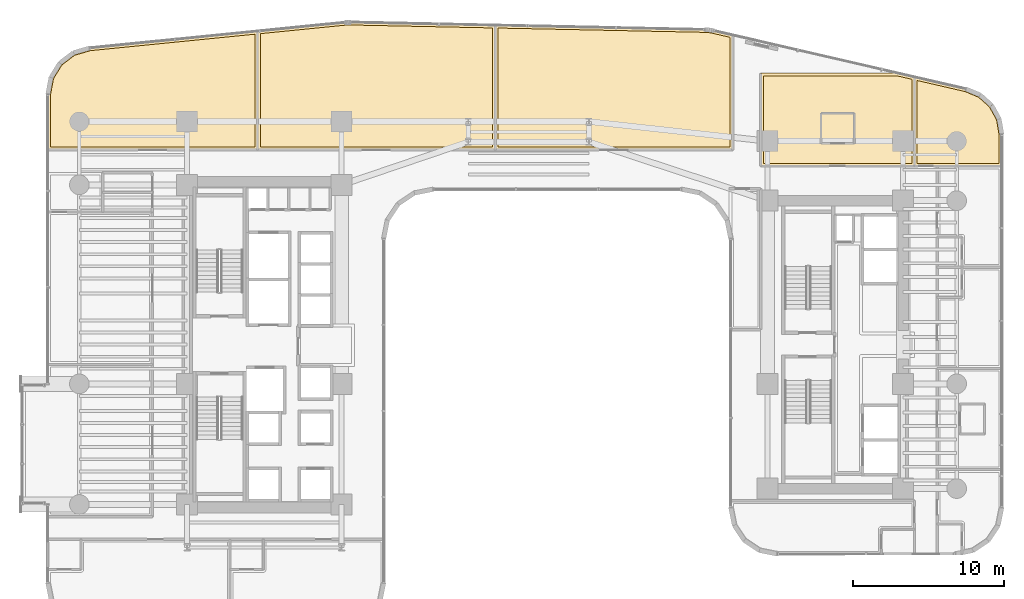
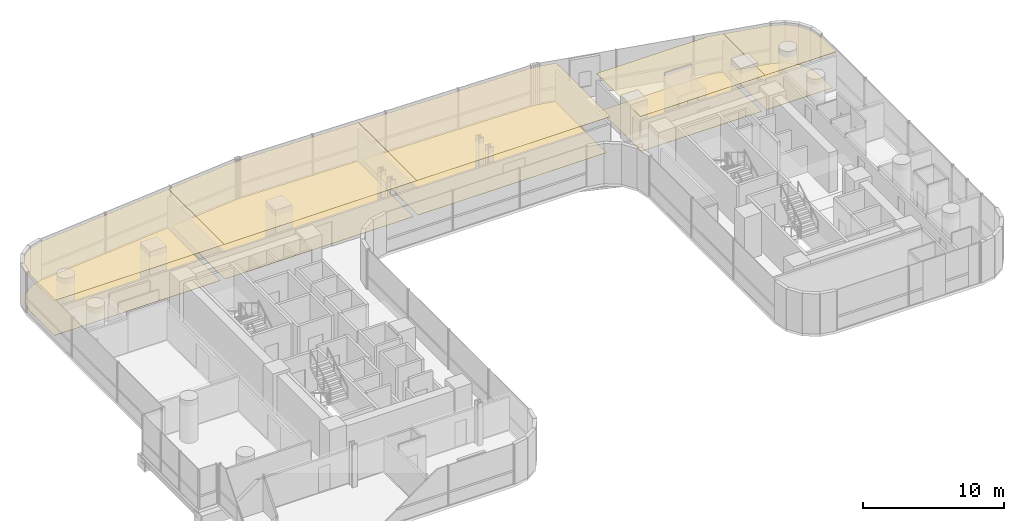
# One storey, part 41 of 41: 10 coverings.
"""IFC4 building model written with IfcOpenShell, lengths in metres."""

from ifc_helpers import new_model, si_unit, direction, frame, origin, place, context, subcontext, project, spatial, polyline, outline, extrude, material, layer, layer_set, type_object, element, save


model = new_model("IFC4")

# Units and contexts
model_context = context("Model", 3, precision=1e-05, world=origin(), true_north=direction((0.0, 1.0)))
body_context = subcontext(model_context, "Body", "Model", "MODEL_VIEW")
ifc_project = project(units=[si_unit("LENGTHUNIT", "METRE"), si_unit("AREAUNIT", "SQUARE_METRE"), si_unit("VOLUMEUNIT", "CUBIC_METRE"), si_unit("PLANEANGLEUNIT", "RADIAN"), si_unit("MASSUNIT", "GRAM", prefix="KILO")], contexts=[model_context])

# Site, building, storey
site_placement = place(None, origin())
site = spatial("IfcSite", under=ifc_project, at=site_placement, CompositionType="ELEMENT")
building_placement = place(site_placement, origin())
building = spatial("IfcBuilding", under=site, at=building_placement, Name="Valdorenza Pilgrim Sanctuary Tower", CompositionType="ELEMENT")
storey_placement = place(building_placement, frame((0.0, 0.0, 63.0)))
storey = spatial("IfcBuildingStorey", under=building, at=storey_placement, Name="L15", CompositionType="ELEMENT", Elevation=63.0)

# Coverings
ifc_material_1 = material(Name="Micro-perforated acoustic mineral ceiling tile", Category="gypsum")
ifc_layer_1 = layer(ifc_material_1, 0.02490234375, Name="Micro-perforated acoustic mineral ceiling tile")
ifc_layer_set_1 = layer_set([ifc_layer_1], Name="Micro-perforated acoustic mineral ceiling tile")
covering_type_1 = type_object("IfcCoveringType", Name="COV-CLG-ACU", PredefinedType="CEILING", material=ifc_layer_set_1)
covering_1_placement = place(storey_placement, frame((0.0, 0.0, 3.159912109375)))
element("IfcCovering", 1, at=covering_1_placement, inside=storey, type_object=covering_type_1, Name="L15 Sacred Art Exhibition Gallery L15-NG1 Acoustic Ceiling", PredefinedType="CEILING", context=body_context, shape_type="SweptSolid", body=[
    extrude(outline(polyline([(-31.889892578125, 12.905029296875), (-31.8916015625, 12.905029296875), (-31.892822265625, 12.9052734375), (-31.894287109375, 12.905517578125), (-31.895751953125, 12.906005859375), (-31.897216796875, 12.90673828125), (-31.898193359375, 12.907470703125), (-31.8994140625, 12.908447265625), (-31.900634765625, 12.909423828125), (-31.901611328125, 12.910400390625), (-31.902587890625, 12.91162109375), (-31.9033203125, 12.912841796875), (-31.90380859375, 12.914306640625), (-31.904296875, 12.91552734375), (-31.90478515625, 12.9169921875), (-31.90478515625, 12.91845703125), (-31.905029296875, 12.919921875), (-31.905029296875, 16.593994140625), (-31.90478515625, 16.59521484375), (-31.90478515625, 16.5966796875), (-31.6962890625, 17.717041015625), (-31.696044921875, 17.718505859375), (-31.695556640625, 17.7197265625), (-31.695068359375, 17.720947265625), (-31.6943359375, 17.72216796875), (-31.102294921875, 18.68408203125), (-31.1015625, 18.685302734375), (-31.100830078125, 18.686279296875), (-31.099853515625, 18.687255859375), (-31.0986328125, 18.688232421875), (-30.20068359375, 19.372802734375), (-30.199462890625, 19.37353515625), (-30.1982421875, 19.374267578125), (-30.197021484375, 19.374755859375), (-30.19580078125, 19.375244140625), (-29.1015625, 19.694091796875), (-29.10009765625, 19.694580078125), (-29.098876953125, 19.694580078125), (-17.978271484375, 20.806640625), (-17.976806640625, 20.806884765625), (-17.97509765625, 20.806640625), (-17.973876953125, 20.806396484375), (-17.972412109375, 20.80615234375), (-17.970947265625, 20.8056640625), (-17.969482421875, 20.804931640625), (-17.968505859375, 20.80419921875), (-17.96728515625, 20.803466796875), (-17.966064453125, 20.802490234375), (-17.965087890625, 20.80126953125), (-17.964111328125, 20.800048828125), (-17.96337890625, 20.798828125), (-17.962890625, 20.797607421875), (-17.96240234375, 20.796142578125), (-17.9619140625, 20.794677734375), (-17.9619140625, 20.793212890625), (-17.961669921875, 20.791748046875), (-17.961669921875, 12.919921875), (-17.9619140625, 12.91845703125), (-17.9619140625, 12.9169921875), (-17.96240234375, 12.91552734375), (-17.962890625, 12.914306640625), (-17.96337890625, 12.912841796875), (-17.964111328125, 12.91162109375), (-17.965087890625, 12.910400390625), (-17.966064453125, 12.909423828125), (-17.96728515625, 12.908447265625), (-17.968505859375, 12.907470703125), (-17.969482421875, 12.90673828125), (-17.970947265625, 12.906005859375), (-17.972412109375, 12.905517578125), (-17.973876953125, 12.9052734375), (-17.97509765625, 12.905029296875), (-17.976806640625, 12.905029296875), (-31.889892578125, 12.905029296875)])), origin(), (0.0, 0.0, 1.0), 0.025146484375),
])
covering_2_placement = place(storey_placement, frame((0.0, 0.0, 3.159912109375)))
element("IfcCovering", 2, at=covering_2_placement, inside=storey, type_object=covering_type_1, Name="L15 Sacred Art Exhibition Gallery L15-NG2 Acoustic Ceiling", PredefinedType="CEILING", context=body_context, shape_type="SweptSolid", body=[
    extrude(outline(polyline([(-17.98974609375, 20.791748046875), (-17.98974609375, 20.792724609375), (-17.989501953125, 20.794189453125), (-17.9892578125, 20.7958984375), (-17.98876953125, 20.79736328125), (-17.98828125, 20.798583984375), (-17.9873046875, 20.800048828125), (-17.986572265625, 20.80126953125), (-17.985595703125, 20.802490234375), (-17.984375, 20.803466796875), (-17.983154296875, 20.80419921875), (-17.98193359375, 20.80517578125), (-17.980712890625, 20.805908203125), (-17.979248046875, 20.806396484375), (-17.977783203125, 20.806640625), (-17.976318359375, 20.806884765625), (-12.18359375, 21.38623046875), (-12.183349609375, 21.38623046875), (-12.089599609375, 21.39404296875), (-12.089111328125, 21.39404296875), (-11.996337890625, 21.399169921875), (-11.995849609375, 21.3994140625), (-11.902587890625, 21.401611328125), (-11.90234375, 21.401611328125), (-11.808349609375, 21.40087890625), (-11.80810546875, 21.40087890625), (-2.212890625, 21.201171875), (-2.21142578125, 21.200927734375), (-2.210205078125, 21.20068359375), (-2.208740234375, 21.200439453125), (-2.207275390625, 21.199951171875), (-2.2060546875, 21.19921875), (-2.204833984375, 21.198486328125), (-2.20361328125, 21.197509765625), (-2.20263671875, 21.196533203125), (-2.20166015625, 21.195556640625), (-2.20068359375, 21.1943359375), (-2.199951171875, 21.193115234375), (-2.199462890625, 21.19189453125), (-2.198974609375, 21.1904296875), (-2.198486328125, 21.18896484375), (-2.198486328125, 21.1875), (-2.1982421875, 21.18603515625), (-2.1982421875, 12.919921875), (-2.198486328125, 12.91845703125), (-2.198486328125, 12.9169921875), (-2.198974609375, 12.91552734375), (-2.199462890625, 12.914306640625), (-2.2001953125, 12.912841796875), (-2.20068359375, 12.91162109375), (-2.20166015625, 12.910400390625), (-2.20263671875, 12.909423828125), (-2.203857421875, 12.908447265625), (-2.205078125, 12.907470703125), (-2.206298828125, 12.90673828125), (-2.20751953125, 12.906005859375), (-2.208984375, 12.905517578125), (-2.21044921875, 12.9052734375), (-2.2119140625, 12.905029296875), (-2.21337890625, 12.905029296875), (-17.974609375, 12.905029296875), (-17.976318359375, 12.905029296875), (-17.9775390625, 12.9052734375), (-17.97900390625, 12.905517578125), (-17.98046875, 12.906005859375), (-17.981689453125, 12.90673828125), (-17.98291015625, 12.907470703125), (-17.984130859375, 12.908447265625), (-17.9853515625, 12.909423828125), (-17.986328125, 12.910400390625), (-17.9873046875, 12.91162109375), (-17.98779296875, 12.912841796875), (-17.988525390625, 12.914306640625), (-17.989013671875, 12.91552734375), (-17.989501953125, 12.9169921875), (-17.989501953125, 12.91845703125), (-17.98974609375, 12.919921875), (-17.98974609375, 20.791748046875), (-17.98974609375, 20.791748046875)])), origin(), (0.0, 0.0, 1.0), 0.025146484375),
])
covering_3_placement = place(storey_placement, frame((0.0, 0.0, 3.159912109375)))
element("IfcCovering", 3, at=covering_3_placement, inside=storey, type_object=covering_type_1, Name="L15 Sacred Art Exhibition Gallery L15-NG3 Acoustic Ceiling", PredefinedType="CEILING", context=body_context, shape_type="SweptSolid", body=[
    extrude(outline(polyline([(-2.211181640625, 12.905029296875), (-2.212890625, 12.905029296875), (-2.214111328125, 12.9052734375), (-2.2158203125, 12.905517578125), (-2.217041015625, 12.906005859375), (-2.218505859375, 12.90673828125), (-2.219482421875, 12.907470703125), (-2.220703125, 12.908447265625), (-2.221923828125, 12.909423828125), (-2.222900390625, 12.910400390625), (-2.223876953125, 12.91162109375), (-2.224609375, 12.912841796875), (-2.22509765625, 12.914306640625), (-2.2255859375, 12.91552734375), (-2.22607421875, 12.9169921875), (-2.226318359375, 12.91845703125), (-2.226318359375, 12.919921875), (-2.226318359375, 21.18603515625), (-2.226318359375, 21.1875), (-2.22607421875, 21.18896484375), (-2.2255859375, 21.1904296875), (-2.22509765625, 21.19189453125), (-2.224609375, 21.193115234375), (-2.2236328125, 21.194580078125), (-2.222900390625, 21.19580078125), (-2.2216796875, 21.19677734375), (-2.220703125, 21.19775390625), (-2.219482421875, 21.198486328125), (-2.21826171875, 21.199462890625), (-2.216796875, 21.199951171875), (-2.21533203125, 21.200439453125), (-2.214111328125, 21.20068359375), (-2.21240234375, 21.200927734375), (-2.2109375, 21.201171875), (11.666015625, 20.912109375), (11.66650390625, 20.911865234375), (11.82666015625, 20.904296875), (11.827392578125, 20.904296875), (11.98583984375, 20.888916015625), (11.986572265625, 20.888671875), (12.143798828125, 20.864990234375), (12.14453125, 20.864990234375), (12.302001953125, 20.832763671875), (12.30224609375, 20.832763671875), (13.553466796875, 20.5439453125), (13.5546875, 20.543701171875), (13.55615234375, 20.543212890625), (13.557373046875, 20.54248046875), (13.55859375, 20.541748046875), (13.559814453125, 20.540771484375), (13.560791015625, 20.539794921875), (13.561767578125, 20.538818359375), (13.5625, 20.53759765625), (13.563232421875, 20.536376953125), (13.56396484375, 20.534912109375), (13.564453125, 20.53369140625), (13.564697265625, 20.5322265625), (13.56494140625, 20.53076171875), (13.56494140625, 20.529296875), (13.56494140625, 12.919921875), (13.56494140625, 12.91845703125), (13.564697265625, 12.9169921875), (13.564453125, 12.91552734375), (13.56396484375, 12.914306640625), (13.563232421875, 12.912841796875), (13.5625, 12.91162109375), (13.5615234375, 12.910400390625), (13.560546875, 12.909423828125), (13.5595703125, 12.908447265625), (13.558349609375, 12.907470703125), (13.55712890625, 12.90673828125), (13.5556640625, 12.906005859375), (13.554443359375, 12.905517578125), (13.552978515625, 12.9052734375), (13.551513671875, 12.905029296875), (13.550048828125, 12.905029296875), (-2.211181640625, 12.905029296875)])), origin(), (0.0, 0.0, 1.0), 0.025146484375),
])
covering_4_placement = place(storey_placement, frame((0.0, 0.0, 3.159912109375)))
element("IfcCovering", 4, at=covering_4_placement, inside=storey, type_object=covering_type_1, Name="L15 East North Guest Room L15-EN1 Acoustic Ceiling", PredefinedType="CEILING", context=body_context, shape_type="SweptSolid", body=[
    extrude(outline(polyline([(24.5107421875, 18.014892578125), (24.512451171875, 18.014892578125), (24.51416015625, 18.0146484375), (25.603515625, 17.76318359375), (25.604736328125, 17.762939453125), (25.606201171875, 17.76220703125), (25.607421875, 17.76171875), (25.608642578125, 17.760986328125), (25.609619140625, 17.760009765625), (25.61083984375, 17.759033203125), (25.61181640625, 17.758056640625), (25.612548828125, 17.7568359375), (25.61328125, 17.755615234375), (25.614013671875, 17.75439453125), (25.614501953125, 17.7529296875), (25.61474609375, 17.75146484375), (25.614990234375, 17.75), (25.614990234375, 17.74853515625), (25.614990234375, 11.85009765625), (25.614990234375, 11.848388671875), (25.61474609375, 11.84716796875), (25.614501953125, 11.845703125), (25.614013671875, 11.84423828125), (25.61328125, 11.843017578125), (25.612548828125, 11.841796875), (25.611572265625, 11.840576171875), (25.610595703125, 11.83935546875), (25.609619140625, 11.83837890625), (25.6083984375, 11.83740234375), (25.607177734375, 11.8369140625), (25.605712890625, 11.836181640625), (25.6044921875, 11.835693359375), (25.602783203125, 11.835205078125), (25.6015625, 11.835205078125), (25.60009765625, 11.8349609375), (15.39990234375, 11.8349609375), (15.3984375, 11.835205078125), (15.397216796875, 11.835205078125), (15.3955078125, 11.835693359375), (15.394287109375, 11.836181640625), (15.392822265625, 11.8369140625), (15.3916015625, 11.83740234375), (15.390380859375, 11.83837890625), (15.389404296875, 11.83935546875), (15.388427734375, 11.840576171875), (15.387451171875, 11.841796875), (15.38671875, 11.843017578125), (15.385986328125, 11.84423828125), (15.385498046875, 11.845703125), (15.38525390625, 11.84716796875), (15.385009765625, 11.848388671875), (15.385009765625, 11.85009765625), (15.385009765625, 18.0), (15.385009765625, 18.00146484375), (15.38525390625, 18.0029296875), (15.385498046875, 18.00439453125), (15.385986328125, 18.005615234375), (15.38671875, 18.007080078125), (15.387451171875, 18.00830078125), (15.388427734375, 18.009521484375), (15.389404296875, 18.010498046875), (15.390380859375, 18.01171875), (15.3916015625, 18.012451171875), (15.392822265625, 18.01318359375), (15.394287109375, 18.013916015625), (15.3955078125, 18.014404296875), (15.397216796875, 18.0146484375), (15.3984375, 18.014892578125), (15.39990234375, 18.014892578125), (24.5107421875, 18.014892578125)])), origin(), (0.0, 0.0, 1.0), 0.025146484375),
])
covering_5_placement = place(storey_placement, frame((0.0, 0.0, 3.159912109375)))
element("IfcCovering", 5, at=covering_5_placement, inside=storey, type_object=covering_type_1, Name="L15 East Wing Reference Library L15-BNE Acoustic Ceiling", PredefinedType="CEILING", context=body_context, shape_type="SweptSolid", body=[
    extrude(outline(polyline([(28.9892578125, 16.98193359375), (28.990478515625, 16.981689453125), (28.99169921875, 16.981201171875), (29.95361328125, 16.580322265625), (29.955078125, 16.57958984375), (29.95654296875, 16.57861328125), (29.9580078125, 16.57763671875), (30.72705078125, 15.88818359375), (30.728271484375, 15.886962890625), (30.729248046875, 15.8857421875), (30.72998046875, 15.88427734375), (31.22900390625, 14.97998046875), (31.2294921875, 14.978271484375), (31.230224609375, 14.976806640625), (31.230712890625, 14.97509765625), (31.40478515625, 13.947509765625), (31.40478515625, 13.9462890625), (31.405029296875, 13.945068359375), (31.405029296875, 11.85009765625), (31.40478515625, 11.848388671875), (31.40478515625, 11.84716796875), (31.404296875, 11.845703125), (31.40380859375, 11.84423828125), (31.4033203125, 11.843017578125), (31.402587890625, 11.841796875), (31.401611328125, 11.840576171875), (31.400634765625, 11.83935546875), (31.3994140625, 11.83837890625), (31.398193359375, 11.83740234375), (31.397216796875, 11.8369140625), (31.395751953125, 11.836181640625), (31.394287109375, 11.835693359375), (31.392822265625, 11.835205078125), (31.3916015625, 11.835205078125), (31.389892578125, 11.8349609375), (25.60205078125, 11.8349609375), (25.6005859375, 11.835205078125), (25.59912109375, 11.835205078125), (25.59765625, 11.835693359375), (25.59619140625, 11.836181640625), (25.594970703125, 11.8369140625), (25.59375, 11.83740234375), (25.592529296875, 11.83837890625), (25.59130859375, 11.83935546875), (25.59033203125, 11.840576171875), (25.589599609375, 11.841796875), (25.5888671875, 11.843017578125), (25.588134765625, 11.84423828125), (25.587646484375, 11.845703125), (25.58740234375, 11.84716796875), (25.587158203125, 11.848388671875), (25.5869140625, 11.85009765625), (25.5869140625, 17.748291015625), (25.587158203125, 17.749755859375), (25.58740234375, 17.751220703125), (25.587646484375, 17.752685546875), (25.588134765625, 17.75390625), (25.5888671875, 17.75537109375), (25.589599609375, 17.756591796875), (25.590576171875, 17.7578125), (25.591552734375, 17.7587890625), (25.5927734375, 17.760009765625), (25.593994140625, 17.7607421875), (25.59521484375, 17.761474609375), (25.596435546875, 17.76220703125), (25.597900390625, 17.7626953125), (25.599365234375, 17.762939453125), (25.600830078125, 17.76318359375), (25.602294921875, 17.76318359375), (25.60400390625, 17.76318359375), (25.60546875, 17.7626953125), (28.9892578125, 16.98193359375)])), origin(), (0.0, 0.0, 1.0), 0.025146484375),
])
ifc_material_2 = material(Name="Engineered European oak timber flooring", Category="wood")
ifc_layer_2 = layer(ifc_material_2, 0.02197265625, Name="Engineered European oak timber flooring")
ifc_layer_set_2 = layer_set([ifc_layer_2], Name="Engineered European oak timber flooring")
covering_type_2 = type_object("IfcCoveringType", Name="COV-FLR-OAK", PredefinedType="FLOORING", material=ifc_layer_set_2)
covering_6_placement = place(storey_placement, origin())
element("IfcCovering", 6, at=covering_6_placement, inside=storey, type_object=covering_type_2, Name="L15 East North Guest Room L15-EN1 Flooring", PredefinedType="FLOORING", context=body_context, shape_type="SweptSolid", body=[
    extrude(outline(polyline([(24.490234375, 17.820068359375), (25.419921875, 17.60546875), (25.419921875, 12.030029296875), (15.580078125, 12.030029296875), (15.580078125, 17.820068359375), (24.490234375, 17.820068359375)])), origin(), (0.0, 0.0, 1.0), 0.02490234375),
])
ifc_material_3 = material(Name="Honed travertine stone flooring", Category="masonry")
ifc_layer_3 = layer(ifc_material_3, 0.030029296875, Name="Honed travertine stone flooring")
ifc_layer_set_3 = layer_set([ifc_layer_3], Name="Honed travertine stone flooring")
covering_type_3 = type_object("IfcCoveringType", Name="COV-FLR-TRV", PredefinedType="FLOORING", material=ifc_layer_set_3)
covering_7_placement = place(storey_placement, origin())
element("IfcCovering", 7, at=covering_7_placement, inside=storey, type_object=covering_type_3, Name="L15 Sacred Art Exhibition Gallery L15-NG1 Flooring", PredefinedType="FLOORING", context=body_context, shape_type="SweptSolid", body=[
    extrude(outline(polyline([(-31.7099609375, 13.10009765625), (-31.7099609375, 16.577392578125), (-31.5107421875, 17.6484375), (-30.953857421875, 18.553466796875), (-30.109130859375, 19.197509765625), (-29.06298828125, 19.502197265625), (-18.15673828125, 20.593017578125), (-18.15673828125, 13.10009765625), (-31.7099609375, 13.10009765625)])), origin(), (0.0, 0.0, 1.0), 0.02490234375),
])
covering_8_placement = place(storey_placement, origin())
element("IfcCovering", 8, at=covering_8_placement, inside=storey, type_object=covering_type_3, Name="L15 Sacred Art Exhibition Gallery L15-NG2 Flooring", PredefinedType="FLOORING", context=body_context, shape_type="SweptSolid", body=[
    extrude(outline(polyline([(-17.794677734375, 13.10009765625), (-17.794677734375, 20.62890625), (-12.16552734375, 21.19189453125), (-12.07568359375, 21.19970703125), (-11.98828125, 21.204345703125), (-11.900634765625, 21.20654296875), (-11.810791015625, 21.2060546875), (-2.393310546875, 21.009765625), (-2.393310546875, 13.10009765625), (-17.794677734375, 13.10009765625)])), origin(), (0.0, 0.0, 1.0), 0.02490234375),
])
covering_9_placement = place(storey_placement, origin())
element("IfcCovering", 9, at=covering_9_placement, inside=storey, type_object=covering_type_3, Name="L15 Sacred Art Exhibition Gallery L15-NG3 Flooring", PredefinedType="FLOORING", context=body_context, shape_type="SweptSolid", body=[
    extrude(outline(polyline([(-2.03125, 13.10009765625), (-2.03125, 21.002197265625), (11.65966796875, 20.717041015625), (11.81298828125, 20.7099609375), (11.962158203125, 20.6953125), (12.110107421875, 20.6728515625), (12.2607421875, 20.64208984375), (13.3701171875, 20.38623046875), (13.3701171875, 13.10009765625), (-2.03125, 13.10009765625)])), origin(), (0.0, 0.0, 1.0), 0.02490234375),
])
covering_10_placement = place(storey_placement, origin())
element("IfcCovering", 10, at=covering_10_placement, inside=storey, type_object=covering_type_3, Name="L15 East Wing Reference Library L15-BNE Flooring", PredefinedType="FLOORING", context=body_context, shape_type="SweptSolid", body=[
    extrude(outline(polyline([(28.9306640625, 16.79541015625), (29.8505859375, 16.412109375), (30.57421875, 15.763427734375), (31.04345703125, 14.912353515625), (31.2099609375, 13.929931640625), (31.2099609375, 12.030029296875), (25.781982421875, 12.030029296875), (25.781982421875, 17.52197265625), (28.9306640625, 16.79541015625)])), origin(), (0.0, 0.0, 1.0), 0.02490234375),
])

save(model, "model.ifc")
